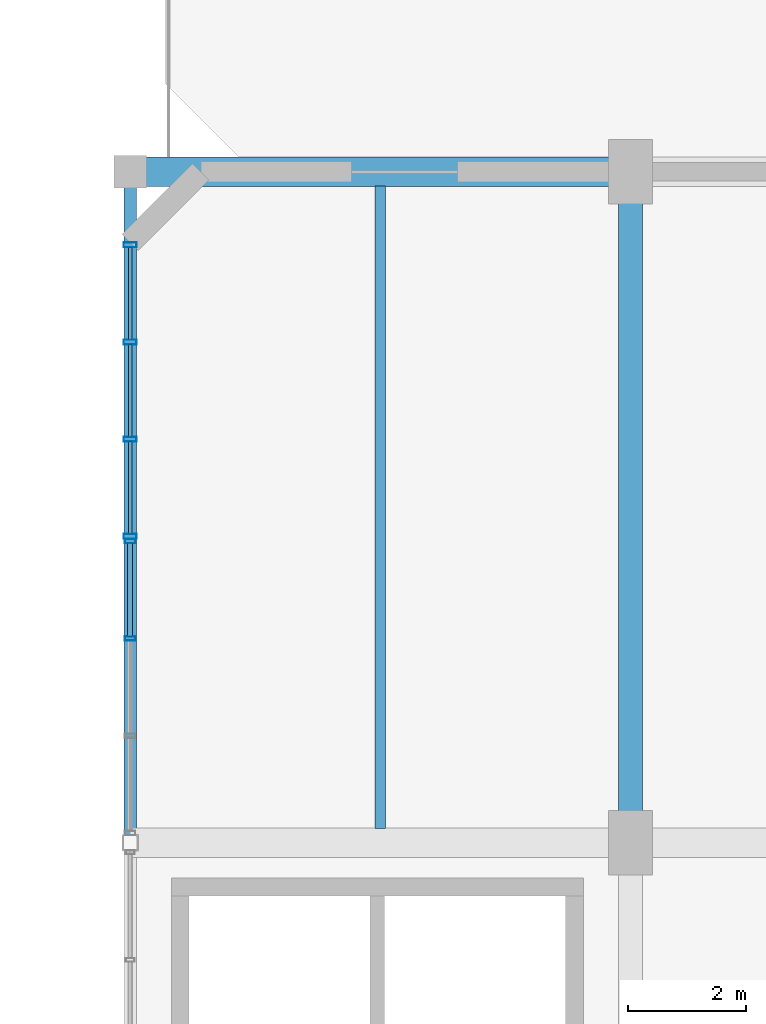
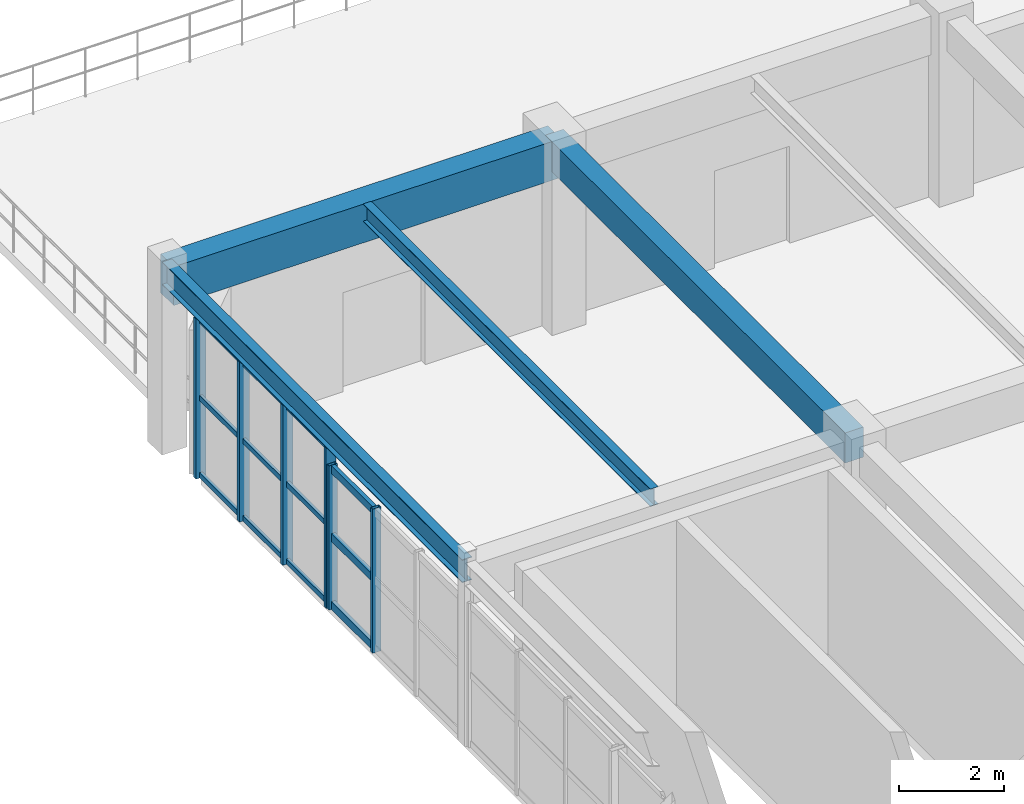
# One storey, part 31 of 80: 18 members, 4 beams, 2 elements without a shape of their own.
"""IFC4 building model written with IfcOpenShell, lengths in metres."""

from ifc_helpers import new_model, si_unit, direction, frame, origin, origin_2d, place, context, subcontext, project, spatial, rectangle, hollow_rectangle, i_section, extrude, material, layer, layer_set, material_profile, profile_set, type_object, element, aggregate, save


model = new_model("IFC4")

# Units and contexts
model_context = context("Model", 3, precision=1e-05, world=origin(), true_north=direction((0.0, 1.0)))
body_context = subcontext(model_context, "Body", "Model", "MODEL_VIEW")
ifc_project = project(units=[si_unit("LENGTHUNIT", "METRE"), si_unit("AREAUNIT", "SQUARE_METRE"), si_unit("VOLUMEUNIT", "CUBIC_METRE"), si_unit("PLANEANGLEUNIT", "RADIAN"), si_unit("MASSUNIT", "GRAM", prefix="KILO"), si_unit("POWERUNIT", "WATT"), si_unit("THERMODYNAMICTEMPERATUREUNIT", "KELVIN")], contexts=[model_context])

# Site, building, storey
site_placement = place(None, origin())
site = spatial("IfcSite", under=ifc_project, at=site_placement, CompositionType="ELEMENT")
building_placement = place(site_placement, origin())
building = spatial("IfcBuilding", under=site, at=building_placement, Name="Kelmbourne Parkland Aquatics Centre", CompositionType="ELEMENT")
storey_placement = place(building_placement, frame((0.0, 0.0, 10.199951171875)))
storey = spatial("IfcBuildingStorey", under=building, at=storey_placement, Name="L02", CompositionType="ELEMENT", Elevation=10.199951171875)

# Beams
ifc_material_1 = material(Name="Concrete C40/50", Category="concrete")
ifc_material_profile_1 = material_profile(ifc_material_1, rectangle(XDim=0.5, YDim=0.89990234375, at=origin_2d()), Name="RC 500x900")
ifc_profile_set_1 = profile_set([ifc_material_profile_1], Name="Concrete C40/50")
beam_type_1 = type_object("IfcBeamType", Name="BM-G03", PredefinedType="BEAM", material=ifc_profile_set_1)
beam_1_placement = place(storey_placement, frame((102.0, 57.800048828125, 3.81005859375), z_axis=(1.0, 0.0, 0.0), x_axis=(0.0, 1.0, 0.0)))
element("IfcBeam", 1, at=beam_1_placement, inside=storey, type_object=beam_type_1, Name="Primary girder M-N Grid 08 (L03)", PredefinedType="BEAM", context=body_context, shape_type="SweptSolid", body=[
    extrude(rectangle(XDim=0.5, YDim=0.89990234375, at=origin_2d()), origin(), (0.0, 0.0, 1.0), 8.5),
])
ifc_material_profile_2 = material_profile(ifc_material_1, rectangle(XDim=0.39990234375, YDim=0.699951171875, at=origin_2d()), Name="RC 400x700")
ifc_profile_set_2 = profile_set([ifc_material_profile_2], Name="Concrete C40/50")
beam_type_2 = type_object("IfcBeamType", Name="BM-G05", PredefinedType="BEAM", material=ifc_profile_set_2)
beam_2_placement = place(storey_placement, frame((110.5, 46.39990234375, 3.91015625), z_axis=(0.0, 1.0, 0.0), x_axis=(-1.0, 0.0, 0.0)))
element("IfcBeam", 2, at=beam_2_placement, inside=storey, type_object=beam_type_2, Name="Primary girder 06-08 Grid N (L03)", PredefinedType="BEAM", context=body_context, shape_type="SweptSolid", body=[
    extrude(rectangle(XDim=0.39990234375, YDim=0.699951171875, at=origin_2d()), origin(), (0.0, 0.0, 1.0), 11.400146484375),
])
ifc_material_2 = material(Name="Structural steel AS/NZS 3679.1 Grade 300", Category="steel")
ifc_material_profile_3 = material_profile(ifc_material_2, i_section(OverallWidth=0.177978515625, OverallDepth=0.406005859375, WebThickness=0.0078125, FlangeThickness=0.0126953125, at=origin_2d()), Name="410UB59.7")
ifc_profile_set_3 = profile_set([ifc_material_profile_3], Name="Structural steel AS/NZS 3679.1 Grade 300")
beam_type_3 = type_object("IfcBeamType", Name="BM-J01", PredefinedType="JOIST", material=ifc_profile_set_3)
beam_3_placement = place(storey_placement, frame((106.25, 46.64208984375, 4.05712890625), z_axis=(0.0, 1.0, 0.0), x_axis=(-1.0, 0.0, 0.0)))
element("IfcBeam", 3, at=beam_3_placement, inside=storey, type_object=beam_type_3, Name="Secondary floor joist M-N/06-08 #1 (L03)", PredefinedType="JOIST", context=body_context, shape_type="SweptSolid", body=[
    extrude(i_section(OverallWidth=0.177978515625, OverallDepth=0.406005859375, WebThickness=0.0078125, FlangeThickness=0.0126953125, at=origin_2d()), origin(), (0.0, 0.0, 1.0), 10.916015625),
])
ifc_material_profile_4 = material_profile(ifc_material_2, i_section(OverallWidth=0.208984375, OverallDepth=0.532958984375, WebThickness=0.01025390625, FlangeThickness=0.015625, at=origin_2d()), Name="530UB92.4")
ifc_profile_set_4 = profile_set([ifc_material_profile_4], Name="Structural steel AS/NZS 3679.1 Grade 300")
beam_type_4 = type_object("IfcBeamType", Name="BM-SP02", PredefinedType="SPANDREL", material=ifc_profile_set_4)
beam_4_placement = place(storey_placement, frame((102.0, 46.39990234375, 3.99365234375), z_axis=(0.0, 1.0, 0.0), x_axis=(-1.0, 0.0, 0.0)))
element("IfcBeam", 4, at=beam_4_placement, inside=storey, type_object=beam_type_4, Name="Perimeter spandrel 06-08 Grid M (L03)", PredefinedType="SPANDREL", context=body_context, shape_type="SweptSolid", body=[
    extrude(i_section(OverallWidth=0.208984375, OverallDepth=0.532958984375, WebThickness=0.01025390625, FlangeThickness=0.015625, at=origin_2d()), origin(), (0.0, 0.0, 1.0), 11.400146484375),
])

# Curtain wall, members
ifc_material_3 = material(Name="Thermally broken anodised aluminium framing", Category="aluminium")
ifc_layer_1 = layer(ifc_material_3, 0.179931640625)
ifc_layer_set_1 = layer_set([ifc_layer_1], Name="Thermally broken anodised aluminium framing")
curtain_wall_type_1 = type_object("IfcCurtainWallType", Name="CW-14", PredefinedType="NOTDEFINED", material=ifc_layer_set_1)
curtain_wall_1_placement = place(storey_placement, origin())
curtain_wall_1 = element("IfcCurtainWall", 5, at=curtain_wall_1_placement, inside=storey, type_object=curtain_wall_type_1, Name="Facade curtain wall CW-L02-206", PredefinedType="NOTDEFINED")
ifc_material_profile_5 = material_profile(ifc_material_3, hollow_rectangle(XDim=0.074951171875, YDim=0.179931640625, WallThickness=0.00439453125, at=origin_2d()), Name="CW-M 75x180")
ifc_profile_set_5 = profile_set([ifc_material_profile_5], Name="Thermally broken anodised aluminium framing")
member_type_1 = type_object("IfcMemberType", Name="MB-MUL-2", PredefinedType="MULLION", material=ifc_profile_set_5)
member_1_placement = place(storey_placement, frame((102.0, 49.872314453125, 0.0), z_axis=(0.0, 0.0, 1.0), x_axis=(0.0, 1.0, 0.0)))
member_1 = element("IfcMember", 6, at=member_1_placement, type_object=member_type_1, Name="CW-L02-206 mullion 2", PredefinedType="MULLION", context=body_context, shape_type="SweptSolid", body=[
    extrude(hollow_rectangle(XDim=0.074951171875, YDim=0.179931640625, WallThickness=0.00439453125, at=origin_2d()), origin(), (0.0, 0.0, 1.0), 3.344970703125),
])
member_2_placement = place(storey_placement, frame((102.0, 51.52587890625, 0.0), z_axis=(0.0, 0.0, 1.0), x_axis=(0.0, 1.0, 0.0)))
member_2 = element("IfcMember", 7, at=member_2_placement, type_object=member_type_1, Name="CW-L02-206 mullion 3", PredefinedType="MULLION", context=body_context, shape_type="SweptSolid", body=[
    extrude(hollow_rectangle(XDim=0.074951171875, YDim=0.179931640625, WallThickness=0.00439453125, at=origin_2d()), origin(), (0.0, 0.0, 1.0), 3.344970703125),
])

ifc_layer_2 = layer(ifc_material_3, 0.179931640625)
ifc_layer_set_2 = layer_set([ifc_layer_2], Name="Thermally broken anodised aluminium framing")
curtain_wall_type_2 = type_object("IfcCurtainWallType", Name="CW-15", PredefinedType="NOTDEFINED", material=ifc_layer_set_2)
curtain_wall_2_placement = place(storey_placement, origin())
curtain_wall_2 = element("IfcCurtainWall", 8, at=curtain_wall_2_placement, inside=storey, type_object=curtain_wall_type_2, Name="Facade curtain wall CW-L02-207", PredefinedType="NOTDEFINED")
ifc_material_profile_6 = material_profile(ifc_material_3, hollow_rectangle(XDim=0.0849609375, YDim=0.219970703125, WallThickness=0.0048828125, at=origin_2d()), Name="CW-M 85x220")
ifc_profile_set_6 = profile_set([ifc_material_profile_6], Name="Thermally broken anodised aluminium framing")
member_type_2 = type_object("IfcMemberType", Name="MB-MUL-3", PredefinedType="MULLION", material=ifc_profile_set_6)
member_3_placement = place(storey_placement, frame((102.0, 51.60595703125, 0.0), z_axis=(0.0, 0.0, 1.0), x_axis=(0.0, 1.0, 0.0)))
member_3 = element("IfcMember", 9, at=member_3_placement, type_object=member_type_2, Name="CW-L02-207 mullion 0", PredefinedType="MULLION", context=body_context, shape_type="SweptSolid", body=[
    extrude(hollow_rectangle(XDim=0.0849609375, YDim=0.219970703125, WallThickness=0.0048828125, at=origin_2d()), origin(), (0.0, 0.0, 1.0), 3.712158203125),
])
member_4_placement = place(storey_placement, frame((102.0, 53.256591796875, 0.0), z_axis=(0.0, 0.0, 1.0), x_axis=(0.0, 1.0, 0.0)))
member_4 = element("IfcMember", 10, at=member_4_placement, type_object=member_type_2, Name="CW-L02-207 mullion 1", PredefinedType="MULLION", context=body_context, shape_type="SweptSolid", body=[
    extrude(hollow_rectangle(XDim=0.0849609375, YDim=0.219970703125, WallThickness=0.0048828125, at=origin_2d()), origin(), (0.0, 0.0, 1.0), 3.712158203125),
])
member_5_placement = place(storey_placement, frame((102.0, 54.906982421875, 0.0), z_axis=(0.0, 0.0, 1.0), x_axis=(0.0, 1.0, 0.0)))
member_5 = element("IfcMember", 11, at=member_5_placement, type_object=member_type_2, Name="CW-L02-207 mullion 2", PredefinedType="MULLION", context=body_context, shape_type="SweptSolid", body=[
    extrude(hollow_rectangle(XDim=0.0849609375, YDim=0.219970703125, WallThickness=0.0048828125, at=origin_2d()), origin(), (0.0, 0.0, 1.0), 3.712158203125),
])
member_6_placement = place(storey_placement, frame((102.0, 56.5576171875, 0.0), z_axis=(0.0, 0.0, 1.0), x_axis=(0.0, 1.0, 0.0)))
member_6 = element("IfcMember", 12, at=member_6_placement, type_object=member_type_2, Name="CW-L02-207 mullion 3", PredefinedType="MULLION", context=body_context, shape_type="SweptSolid", body=[
    extrude(hollow_rectangle(XDim=0.0849609375, YDim=0.219970703125, WallThickness=0.0048828125, at=origin_2d()), origin(), (0.0, 0.0, 1.0), 3.712158203125),
])
ifc_material_profile_7 = material_profile(ifc_material_3, hollow_rectangle(XDim=0.06494140625, YDim=0.1201171875, WallThickness=0.00341796875, at=origin_2d()), Name="CW-T 65x120")
ifc_profile_set_7 = profile_set([ifc_material_profile_7], Name="Thermally broken anodised aluminium framing")
member_type_3 = type_object("IfcMemberType", Name="MB-TRN-1", PredefinedType="USERDEFINED", material=ifc_profile_set_7)
member_7_placement = place(storey_placement, frame((102.0, 51.64453125, 0.06298828125), z_axis=(0.0, 1.0, 0.0), x_axis=(-1.0, 0.0, 0.0)))
member_7 = element("IfcMember", 13, at=member_7_placement, type_object=member_type_3, Name="CW-L02-207 transom 0-0", ObjectType="TRANSOM", PredefinedType="USERDEFINED", context=body_context, shape_type="SweptSolid", body=[
    extrude(hollow_rectangle(XDim=0.06494140625, YDim=0.1201171875, WallThickness=0.00341796875, at=origin_2d()), origin(), (0.0, 0.0, 1.0), 1.573486328125),
])
member_8_placement = place(storey_placement, frame((102.0, 53.294921875, 0.06298828125), z_axis=(0.0, 1.0, 0.0), x_axis=(-1.0, 0.0, 0.0)))
member_8 = element("IfcMember", 14, at=member_8_placement, type_object=member_type_3, Name="CW-L02-207 transom 0-1", ObjectType="TRANSOM", PredefinedType="USERDEFINED", context=body_context, shape_type="SweptSolid", body=[
    extrude(hollow_rectangle(XDim=0.06494140625, YDim=0.1201171875, WallThickness=0.00341796875, at=origin_2d()), origin(), (0.0, 0.0, 1.0), 1.573486328125),
])
member_9_placement = place(storey_placement, frame((102.0, 54.945556640625, 0.06298828125), z_axis=(0.0, 1.0, 0.0), x_axis=(-1.0, 0.0, 0.0)))
member_9 = element("IfcMember", 15, at=member_9_placement, type_object=member_type_3, Name="CW-L02-207 transom 0-2", ObjectType="TRANSOM", PredefinedType="USERDEFINED", context=body_context, shape_type="SweptSolid", body=[
    extrude(hollow_rectangle(XDim=0.06494140625, YDim=0.1201171875, WallThickness=0.00341796875, at=origin_2d()), origin(), (0.0, 0.0, 1.0), 1.573486328125),
])
member_10_placement = place(storey_placement, frame((102.0, 51.64453125, 1.85595703125), z_axis=(0.0, 1.0, 0.0), x_axis=(-1.0, 0.0, 0.0)))
member_10 = element("IfcMember", 16, at=member_10_placement, type_object=member_type_3, Name="CW-L02-207 transom 1-0", ObjectType="TRANSOM", PredefinedType="USERDEFINED", context=body_context, shape_type="SweptSolid", body=[
    extrude(hollow_rectangle(XDim=0.06494140625, YDim=0.1201171875, WallThickness=0.00341796875, at=origin_2d()), origin(), (0.0, 0.0, 1.0), 1.573486328125),
])
member_11_placement = place(storey_placement, frame((102.0, 53.294921875, 1.85595703125), z_axis=(0.0, 1.0, 0.0), x_axis=(-1.0, 0.0, 0.0)))
member_11 = element("IfcMember", 17, at=member_11_placement, type_object=member_type_3, Name="CW-L02-207 transom 1-1", ObjectType="TRANSOM", PredefinedType="USERDEFINED", context=body_context, shape_type="SweptSolid", body=[
    extrude(hollow_rectangle(XDim=0.06494140625, YDim=0.1201171875, WallThickness=0.00341796875, at=origin_2d()), origin(), (0.0, 0.0, 1.0), 1.573486328125),
])
member_12_placement = place(storey_placement, frame((102.0, 54.945556640625, 1.85595703125), z_axis=(0.0, 1.0, 0.0), x_axis=(-1.0, 0.0, 0.0)))
member_12 = element("IfcMember", 18, at=member_12_placement, type_object=member_type_3, Name="CW-L02-207 transom 1-2", ObjectType="TRANSOM", PredefinedType="USERDEFINED", context=body_context, shape_type="SweptSolid", body=[
    extrude(hollow_rectangle(XDim=0.06494140625, YDim=0.1201171875, WallThickness=0.00341796875, at=origin_2d()), origin(), (0.0, 0.0, 1.0), 1.573486328125),
])
member_13_placement = place(storey_placement, frame((102.0, 51.64453125, 3.649169921875), z_axis=(0.0, 1.0, 0.0), x_axis=(-1.0, 0.0, 0.0)))
member_13 = element("IfcMember", 19, at=member_13_placement, type_object=member_type_3, Name="CW-L02-207 transom 2-0", ObjectType="TRANSOM", PredefinedType="USERDEFINED", context=body_context, shape_type="SweptSolid", body=[
    extrude(hollow_rectangle(XDim=0.06494140625, YDim=0.1201171875, WallThickness=0.00341796875, at=origin_2d()), origin(), (0.0, 0.0, 1.0), 1.573486328125),
])
member_14_placement = place(storey_placement, frame((102.0, 53.294921875, 3.649169921875), z_axis=(0.0, 1.0, 0.0), x_axis=(-1.0, 0.0, 0.0)))
member_14 = element("IfcMember", 20, at=member_14_placement, type_object=member_type_3, Name="CW-L02-207 transom 2-1", ObjectType="TRANSOM", PredefinedType="USERDEFINED", context=body_context, shape_type="SweptSolid", body=[
    extrude(hollow_rectangle(XDim=0.06494140625, YDim=0.1201171875, WallThickness=0.00341796875, at=origin_2d()), origin(), (0.0, 0.0, 1.0), 1.573486328125),
])
member_15_placement = place(storey_placement, frame((102.0, 54.945556640625, 3.649169921875), z_axis=(0.0, 1.0, 0.0), x_axis=(-1.0, 0.0, 0.0)))
member_15 = element("IfcMember", 21, at=member_15_placement, type_object=member_type_3, Name="CW-L02-207 transom 2-2", ObjectType="TRANSOM", PredefinedType="USERDEFINED", context=body_context, shape_type="SweptSolid", body=[
    extrude(hollow_rectangle(XDim=0.06494140625, YDim=0.1201171875, WallThickness=0.00341796875, at=origin_2d()), origin(), (0.0, 0.0, 1.0), 1.573486328125),
])
aggregate(curtain_wall_2, [member_3, member_4, member_5, member_6, member_7, member_8, member_9, member_10, member_11, member_12, member_13, member_14, member_15])

# Member
ifc_material_profile_8 = material_profile(ifc_material_3, hollow_rectangle(XDim=0.0849609375, YDim=0.179931640625, WallThickness=0.00439453125, at=origin_2d()), Name="CW-T 85x180")
ifc_profile_set_8 = profile_set([ifc_material_profile_8], Name="Thermally broken anodised aluminium framing")
member_type_4 = type_object("IfcMemberType", Name="MB-TRN-3", PredefinedType="USERDEFINED", material=ifc_profile_set_8)
member_16_placement = place(storey_placement, frame((102.0, 49.90576171875, 0.093017578125), z_axis=(0.0, 1.0, 0.0), x_axis=(-1.0, 0.0, 0.0)))
member_16 = element("IfcMember", 22, at=member_16_placement, type_object=member_type_4, Name="CW-L02-206 transom 0-2", ObjectType="TRANSOM", PredefinedType="USERDEFINED", context=body_context, shape_type="SweptSolid", body=[
    extrude(hollow_rectangle(XDim=0.0849609375, YDim=0.179931640625, WallThickness=0.00439453125, at=origin_2d()), origin(), (0.0, 0.0, 1.0), 1.586669921875),
])

member_17_placement = place(storey_placement, frame((102.0, 49.90576171875, 1.672607421875), z_axis=(0.0, 1.0, 0.0), x_axis=(-1.0, 0.0, 0.0)))
member_17 = element("IfcMember", 23, at=member_17_placement, type_object=member_type_4, Name="CW-L02-206 transom 1-2", ObjectType="TRANSOM", PredefinedType="USERDEFINED", context=body_context, shape_type="SweptSolid", body=[
    extrude(hollow_rectangle(XDim=0.0849609375, YDim=0.179931640625, WallThickness=0.00439453125, at=origin_2d()), origin(), (0.0, 0.0, 1.0), 1.586669921875),
])

member_18_placement = place(storey_placement, frame((102.0, 49.90576171875, 3.251953125), z_axis=(0.0, 1.0, 0.0), x_axis=(-1.0, 0.0, 0.0)))
member_18 = element("IfcMember", 24, at=member_18_placement, type_object=member_type_4, Name="CW-L02-206 transom 2-2", ObjectType="TRANSOM", PredefinedType="USERDEFINED", context=body_context, shape_type="SweptSolid", body=[
    extrude(hollow_rectangle(XDim=0.0849609375, YDim=0.179931640625, WallThickness=0.00439453125, at=origin_2d()), origin(), (0.0, 0.0, 1.0), 1.586669921875),
])

aggregate(curtain_wall_1, [member_1, member_2, member_16, member_17, member_18])

save(model, "model.ifc")
